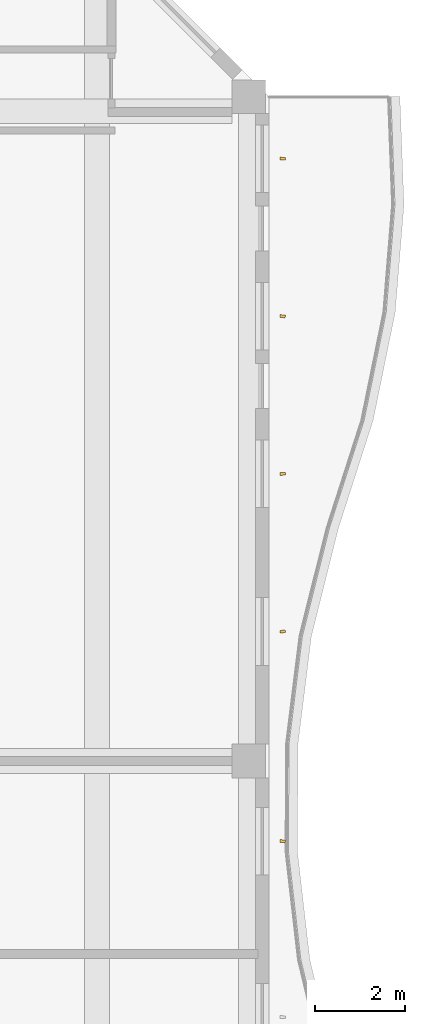
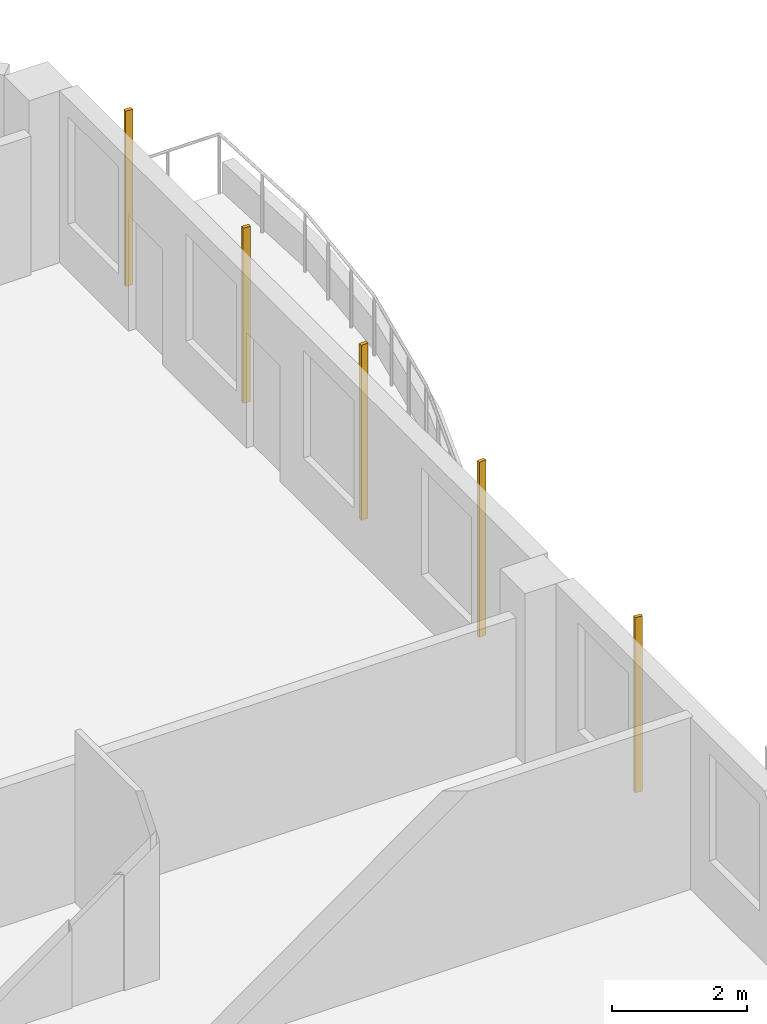
# One storey, part 21 of 21: 5 shading devices.
"""IFC4 building model written with IfcOpenShell, lengths in metres."""

from ifc_helpers import new_model, si_unit, direction, frame, origin, origin_2d, place, context, subcontext, project, spatial, rectangle, extrude, source, transform, mapped, material, material_profile, profile_set, type_object, element, save


model = new_model("IFC4")

# Units and contexts
model_context = context("Model", 3, precision=1e-05, world=origin(), true_north=direction((0.0, 1.0)))
body_context = subcontext(model_context, "Body", "Model", "MODEL_VIEW")
ifc_project = project(units=[si_unit("LENGTHUNIT", "METRE"), si_unit("AREAUNIT", "SQUARE_METRE"), si_unit("VOLUMEUNIT", "CUBIC_METRE"), si_unit("PLANEANGLEUNIT", "RADIAN"), si_unit("MASSUNIT", "GRAM", prefix="KILO")], contexts=[model_context])

# Site, building, storey
site_placement = place(None, origin())
site = spatial("IfcSite", under=ifc_project, at=site_placement, CompositionType="ELEMENT")
building_placement = place(site_placement, origin())
building = spatial("IfcBuilding", under=site, at=building_placement, Name="Kilnfold Tower and Market Hall", CompositionType="ELEMENT")
storey_placement = place(building_placement, frame((0.0, 0.0, 210.10009765625)))
storey = spatial("IfcBuildingStorey", under=building, at=storey_placement, Name="L51", CompositionType="ELEMENT", Elevation=210.10009765625)

# Shading devices
ifc_material = material(Name="Terracotta", Category="masonry")
ifc_material_profile = material_profile(ifc_material, rectangle(XDim=0.06005859375, YDim=0.1201171875, at=origin_2d()), Name="BAG 60x120")
ifc_profile_set = profile_set([ifc_material_profile], Name="Terracotta")
shading_device_type = type_object("IfcShadingDeviceType", Name="BAGUETTE", PredefinedType="USERDEFINED", material=ifc_profile_set)
shared_shape = source(origin(), body_context, "Body", "SweptSolid", [
    extrude(rectangle(XDim=0.06005859375, YDim=0.1201171875, at=origin_2d()), origin(), (0.0, 0.0, 1.0), 3.179931640625),
])
for number, where, z_axis, x_axis, name in (
    (1, (31.550048828125, 6.21875, 0.0), (0.0, 0.0, 1.0), (0.116792074913, 0.993156388107, 0.0), "Terracotta baguette L51 E"),
    (2, (31.550048828125, 10.875, 0.0), (0.0, 0.0, 1.0), (-0.123824894635, 0.992304084174, 0.0), "Terracotta baguette L51 E"),
    (3, (31.550048828125, 14.375, 0.0), (0.0, 0.0, 1.0), (-0.063861742577, 0.997958755578, 0.0), "Terracotta baguette L51 E"),
    (4, (31.550048828125, 17.875, 0.0), (0.0, 0.0, 1.0), (0.123824894635, 0.992304084174, 0.0), "Terracotta baguette L51 E"),
    (5, (31.550048828125, 21.375, 0.0), (0.0, 0.0, 1.0), (0.063861742577, 0.997958755578, 0.0), "Terracotta baguette L51 E"),
):
    element("IfcShadingDevice", number, at=place(storey_placement, frame(where, z_axis=z_axis, x_axis=x_axis)), inside=storey, type_object=shading_device_type, Name=name, ObjectType="BAGUETTE", PredefinedType="USERDEFINED", context=body_context, shape_type="MappedRepresentation", body=[
        mapped(shared_shape, transform((0.0, 0.0, 0.0))),
    ])

save(model, "model.ifc")
